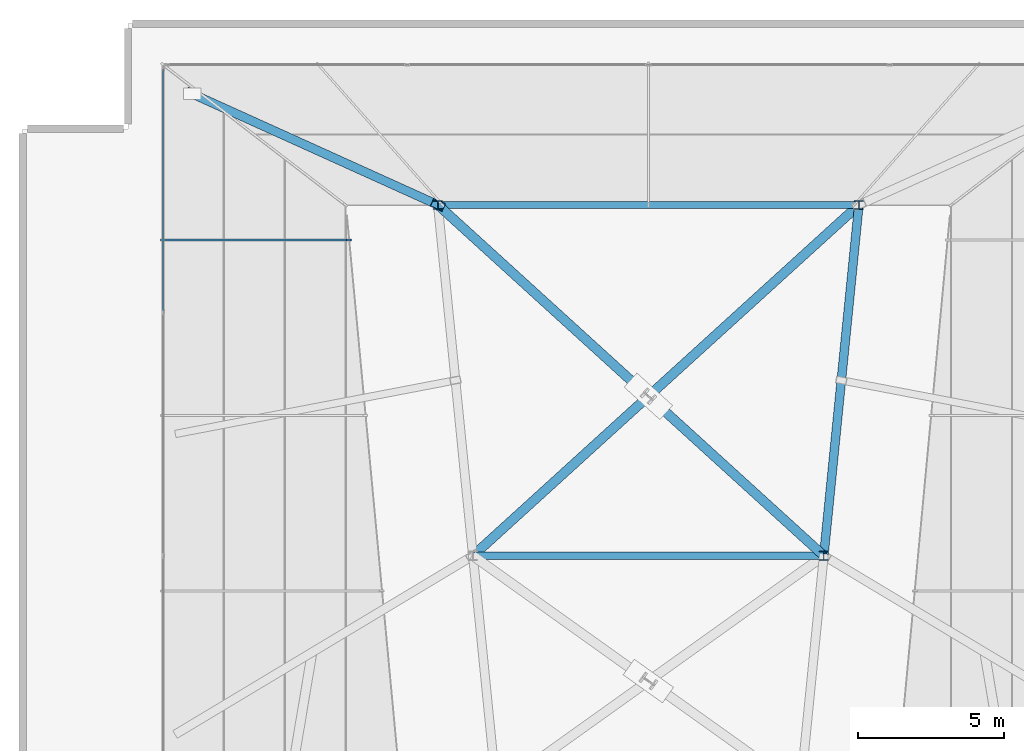
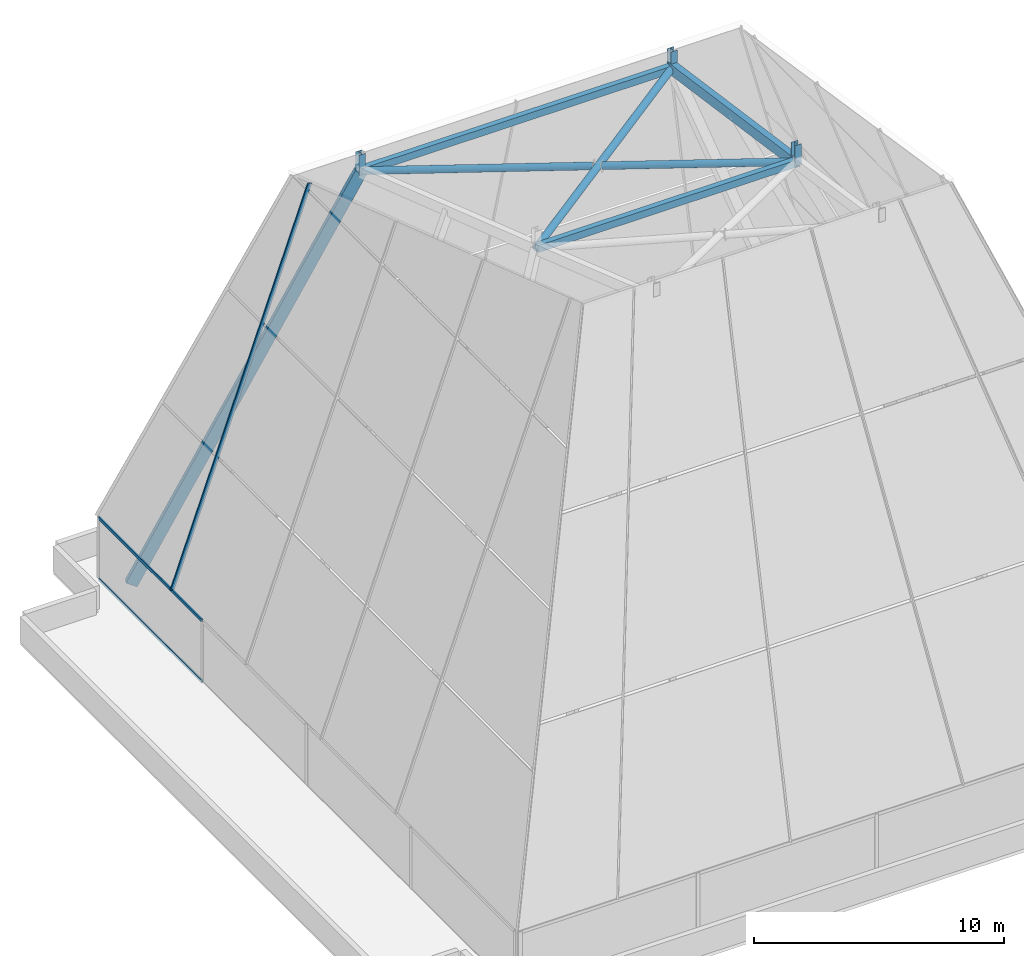
# One storey, part 12 of 32: 13 members, 1 element without a shape of its own.
"""IFC4 building model written with IfcOpenShell, lengths in metres."""

from ifc_helpers import new_model, si_unit, direction, frame, origin, origin_2d, place, context, subcontext, project, spatial, hollow_rectangle, hollow_circle, i_section, extrude, source, transform, mapped, material, layer, layer_set, material_profile, profile_set, type_object, element, aggregate, save


model = new_model("IFC4")

# Units and contexts
model_context = context("Model", 3, precision=1e-05, world=origin(), true_north=direction((0.0, 1.0)))
body_context = subcontext(model_context, "Body", "Model", "MODEL_VIEW")
ifc_project = project(units=[si_unit("LENGTHUNIT", "METRE"), si_unit("AREAUNIT", "SQUARE_METRE"), si_unit("VOLUMEUNIT", "CUBIC_METRE"), si_unit("PLANEANGLEUNIT", "RADIAN"), si_unit("MASSUNIT", "GRAM", prefix="KILO")], contexts=[model_context])

# Site, building, storey
site_placement = place(None, origin())
site = spatial("IfcSite", under=ifc_project, at=site_placement, CompositionType="ELEMENT")
building_placement = place(site_placement, origin())
building = spatial("IfcBuilding", under=site, at=building_placement, Name="Sumidabori Civic Tower", CompositionType="ELEMENT")
storey_placement = place(building_placement, frame((0.0, 0.0, 298.199951171875)))
storey = spatial("IfcBuildingStorey", under=building, at=storey_placement, Name="RF Roof Crown", CompositionType="ELEMENT", Elevation=298.199951171875)

# Members
ifc_material_1 = material(Name="Steel SN490", Category="steel")
ifc_material_profile_1 = material_profile(ifc_material_1, hollow_rectangle(XDim=0.300048828125, YDim=0.5, WallThickness=0.02001953125, at=origin_2d()), Name="RHS 500x300x20")
ifc_profile_set_1 = profile_set([ifc_material_profile_1], Name="Steel SN490")
member_type_1 = type_object("IfcMemberType", Name="MB-CRN-RAFTER", PredefinedType="RAFTER", material=ifc_profile_set_1)
shared_shape_1 = source(origin(), body_context, "Body", "SweptSolid", [
    extrude(hollow_rectangle(XDim=0.300048828125, YDim=0.5, WallThickness=0.02001953125, at=origin_2d()), origin(), (0.0, 0.0, 1.0), 21.56982421875),
])
member_1_placement = place(storey_placement, frame((-15.60009765625, 21.800048828125, 0.0), z_axis=(0.389441605337, -0.176175155843, 0.904045104238), x_axis=(0.412166299727, 0.911108633133, 0.0)))
element("IfcMember", 1, at=member_1_placement, inside=storey, type_object=member_type_1, Name="Crown Structural Rafter RF-NW", PredefinedType="RAFTER", context=body_context, shape_type="MappedRepresentation", body=[
    mapped(shared_shape_1, transform((0.0, 0.0, 0.0), x_axis=(1.0, 0.0, 0.0), y_axis=(0.0, 1.0, 0.0), z_axis=(0.0, 0.0, 1.0), scale=1.0)),
])
shared_shape_2 = source(origin(), body_context, "Body", "SweptSolid", [
    extrude(hollow_rectangle(XDim=0.300048828125, YDim=0.5, WallThickness=0.02001953125, at=origin_2d()), origin(), (0.0, 0.0, 1.0), 12.451904296875),
])
member_2_placement = place(storey_placement, frame((6.0, 6.0, 22.60009765625), z_axis=(0.096366703969, 0.963706252998, -0.248965291353), x_axis=(-0.995037591075, 0.099499710289, 0.0)))
element("IfcMember", 2, at=member_2_placement, inside=storey, type_object=member_type_1, Name="Crown Structural Rafter RF-RIDGE-E2", PredefinedType="RAFTER", context=body_context, shape_type="MappedRepresentation", body=[
    mapped(shared_shape_2, transform((0.0, 0.0, 0.0), x_axis=(1.0, 0.0, 0.0), y_axis=(0.0, 1.0, 0.0), z_axis=(0.0, 0.0, 1.0), scale=1.0)),
])
ifc_material_profile_2 = material_profile(ifc_material_1, hollow_rectangle(XDim=0.25, YDim=0.35009765625, WallThickness=0.01611328125, at=origin_2d()), Name="RHS 350x250x16")
ifc_profile_set_2 = profile_set([ifc_material_profile_2], Name="Steel SN490")
member_type_2 = type_object("IfcMemberType", Name="MB-CRN-PURLIN", PredefinedType="PURLIN", material=ifc_profile_set_2)
shared_shape_3 = source(origin(), body_context, "Body", "SweptSolid", [
    extrude(hollow_rectangle(XDim=0.25, YDim=0.35009765625, WallThickness=0.01611328125, at=origin_2d()), origin(), (0.0, 0.0, 1.0), 12.0),
])
member_3_placement = place(storey_placement, frame((-6.0, 6.0, 22.60009765625), z_axis=(1.0, 0.0, 0.0), x_axis=(0.0, 1.0, 0.0)))
element("IfcMember", 3, at=member_3_placement, inside=storey, type_object=member_type_2, Name="Crown Structural Rafter RF-TIE-M", PredefinedType="PURLIN", context=body_context, shape_type="MappedRepresentation", body=[
    mapped(shared_shape_3, transform((0.0, 0.0, 0.0), x_axis=(1.0, 0.0, 0.0), y_axis=(0.0, 1.0, 0.0), z_axis=(0.0, 0.0, 1.0), scale=1.0)),
])
shared_shape_4 = source(origin(), body_context, "Body", "SweptSolid", [
    extrude(hollow_rectangle(XDim=0.25, YDim=0.35009765625, WallThickness=0.01611328125, at=origin_2d()), origin(), (0.0, 0.0, 1.0), 14.39990234375),
])
member_4_placement = place(storey_placement, frame((-7.199951171875, 18.0, 19.5), z_axis=(1.0, 0.0, 0.0), x_axis=(0.0, 1.0, 0.0)))
element("IfcMember", 4, at=member_4_placement, inside=storey, type_object=member_type_2, Name="Crown Structural Rafter RF-TIE-N", PredefinedType="PURLIN", context=body_context, shape_type="MappedRepresentation", body=[
    mapped(shared_shape_4, transform((0.0, 0.0, 0.0), x_axis=(1.0, 0.0, 0.0), y_axis=(0.0, 1.0, 0.0), z_axis=(0.0, 0.0, 1.0), scale=1.0)),
])
ifc_material_profile_3 = material_profile(ifc_material_1, hollow_circle(Radius=0.161865234375, WallThickness=0.01611328125, at=origin_2d()), Name="CHS 323.9x16")
ifc_profile_set_3 = profile_set([ifc_material_profile_3], Name="Steel SN490")
member_type_3 = type_object("IfcMemberType", Name="MB-CRN-BRACE", PredefinedType="BRACE", material=ifc_profile_set_3)
shared_shape_5 = source(origin(), body_context, "Body", "SweptSolid", [
    extrude(hollow_circle(Radius=0.161865234375, WallThickness=0.01611328125, at=origin_2d()), origin(), (0.0, 0.0, 1.0), 18.106689453125),
])
member_5_placement = place(storey_placement, frame((-6.0, 6.0, 22.60009765625), z_axis=(0.729012849924, 0.662741406024, -0.171213589959), x_axis=(-0.672674156362, 0.73993883488, 0.0)))
element("IfcMember", 5, at=member_5_placement, inside=storey, type_object=member_type_3, Name="Crown Structural Rafter RF-BRC-3", PredefinedType="BRACE", context=body_context, shape_type="MappedRepresentation", body=[
    mapped(shared_shape_5, transform((0.0, 0.0, 0.0), x_axis=(1.0, 0.0, 0.0), y_axis=(0.0, 1.0, 0.0), z_axis=(0.0, 0.0, 1.0), scale=1.0)),
])
shared_shape_6 = source(origin(), body_context, "Body", "SweptSolid", [
    extrude(hollow_circle(Radius=0.161865234375, WallThickness=0.01611328125, at=origin_2d()), origin(), (0.0, 0.0, 1.0), 8.045654296875),
])
member_6_placement = place(storey_placement, frame((6.0, 6.0, 22.60009765625), z_axis=(-0.729014343254, 0.662743070593, -0.171200787706), x_axis=(-0.672674326962, -0.739938679788, 0.0)))
element("IfcMember", 6, at=member_6_placement, inside=storey, type_object=member_type_3, Name="Crown Structural Rafter RF-BRC-4 Lower Segment", PredefinedType="BRACE", context=body_context, shape_type="MappedRepresentation", body=[
    mapped(shared_shape_6, transform((0.0, 0.0, 0.0), x_axis=(1.0, 0.0, 0.0), y_axis=(0.0, 1.0, 0.0), z_axis=(0.0, 0.0, 1.0), scale=1.0)),
])
shared_shape_7 = source(origin(), body_context, "Body", "SweptSolid", [
    extrude(hollow_circle(Radius=0.161865234375, WallThickness=0.01611328125, at=origin_2d()), origin(), (0.0, 0.0, 1.0), 9.691650390625),
])
member_7_placement = place(storey_placement, frame((-0.134521484375, 11.576904296875, 21.159423828125), z_axis=(-0.729014368569, 0.662738045013, -0.171220133489), x_axis=(-0.672671521374, -0.739941230323, 0.0)))
element("IfcMember", 7, at=member_7_placement, inside=storey, type_object=member_type_3, Name="Crown Structural Rafter RF-BRC-4 Upper Segment", PredefinedType="BRACE", context=body_context, shape_type="MappedRepresentation", body=[
    mapped(shared_shape_7, transform((0.0, 0.0, 0.0), x_axis=(1.0, 0.0, 0.0), y_axis=(0.0, 1.0, 0.0), z_axis=(0.0, 0.0, 1.0), scale=1.0)),
])
ifc_material_profile_4 = material_profile(ifc_material_1, i_section(OverallWidth=0.300048828125, OverallDepth=0.300048828125, WebThickness=0.010986328125, FlangeThickness=0.01904296875, at=origin_2d()), Name="HE 300 B")
ifc_profile_set_4 = profile_set([ifc_material_profile_4], Name="Steel SN490")
member_type_4 = type_object("IfcMemberType", Name="MB-CRN-POST2", PredefinedType="POST", material=ifc_profile_set_4)
shared_shape_8 = source(origin(), body_context, "Body", "SweptSolid", [
    extrude(i_section(OverallWidth=0.300048828125, OverallDepth=0.300048828125, WebThickness=0.010986328125, FlangeThickness=0.01904296875, at=origin_2d()), origin(), (0.0, 0.0, 1.0), 1.010009765625),
])
member_8_placement = place(storey_placement, frame((6.0, 6.0, 22.5), z_axis=(0.0, 0.0, 1.0), x_axis=(1.0, 0.0, 0.0)))
element("IfcMember", 8, at=member_8_placement, inside=storey, type_object=member_type_4, Name="Crown Ridge Cap King-Post CP-ME", PredefinedType="POST", context=body_context, shape_type="MappedRepresentation", body=[
    mapped(shared_shape_8, transform((0.0, 0.0, 0.0), x_axis=(1.0, 0.0, 0.0), y_axis=(0.0, 1.0, 0.0), z_axis=(0.0, 0.0, 1.0), scale=1.0)),
])
shared_shape_9 = source(origin(), body_context, "Body", "SweptSolid", [
    extrude(i_section(OverallWidth=0.300048828125, OverallDepth=0.300048828125, WebThickness=0.010986328125, FlangeThickness=0.01904296875, at=origin_2d()), origin(), (0.0, 0.0, 1.0), 0.989990234375),
])
for number, where, z_axis, x_axis, name in (
    (9, (-7.199951171875, 18.0, 19.400146484375), (0.0, 0.0, 1.0), (1.0, 0.0, 0.0), "Crown Ridge Cap King-Post CP-NW"),
    (10, (7.199951171875, 18.0, 19.400146484375), (0.0, 0.0, 1.0), (1.0, 0.0, 0.0), "Crown Ridge Cap King-Post CP-NE"),
):
    element("IfcMember", number, at=place(storey_placement, frame(where, z_axis=z_axis, x_axis=x_axis)), inside=storey, type_object=member_type_4, Name=name, PredefinedType="POST", context=body_context, shape_type="MappedRepresentation", body=[
        mapped(shared_shape_9, transform((0.0, 0.0, 0.0), x_axis=(1.0, 0.0, 0.0), y_axis=(0.0, 1.0, 0.0), z_axis=(0.0, 0.0, 1.0), scale=1.0)),
    ])

# Curtain wall, members
ifc_material_2 = material(Name="Anodised Bronze Aluminium AW-6063-T6", Category="aluminium")
ifc_layer = layer(ifc_material_2, 0.179931640625, Name="Anodised Bronze Aluminium AW-6063-T6")
ifc_layer_set = layer_set([ifc_layer], Name="Anodised Bronze Aluminium AW-6063-T6")
curtain_wall_type = type_object("IfcCurtainWallType", Name="CW-SYS-6", PredefinedType="NOTDEFINED", material=ifc_layer_set)
curtain_wall_placement = place(storey_placement, origin())
curtain_wall = element("IfcCurtainWall", 11, at=curtain_wall_placement, inside=storey, type_object=curtain_wall_type, Name="Glass-Point Crown West Cheek Curtain Wall", PredefinedType="NOTDEFINED")
ifc_material_profile_5 = material_profile(ifc_material_2, hollow_rectangle(XDim=0.06494140625, YDim=0.14990234375, WallThickness=0.0048828125, at=origin_2d()), Name="ALU TRANSOM 150x65")
ifc_profile_set_5 = profile_set([ifc_material_profile_5], Name="Anodised Bronze Aluminium AW-6063-T6")
member_type_5 = type_object("IfcMemberType", Name="CW-TRN-150", PredefinedType="USERDEFINED", material=ifc_profile_set_5)
shared_shape_10 = source(origin(), body_context, "Body", "SweptSolid", [
    extrude(hollow_rectangle(XDim=0.06494140625, YDim=0.14990234375, WallThickness=0.0048828125, at=origin_2d()), origin(), (0.0, 0.0, 1.0), 8.244873046875),
])
member_9_placement = place(storey_placement, frame((-16.60009765625, 22.6298828125, 0.032470703125), z_axis=(0.0, -1.0, 0.0), x_axis=(1.0, 0.0, 0.0)))
member_9 = element("IfcMember", 12, at=member_9_placement, type_object=member_type_5, Name="CW-6 transom 1.1", ObjectType="TRANSOM", PredefinedType="USERDEFINED", context=body_context, shape_type="MappedRepresentation", body=[
    mapped(shared_shape_10, transform((0.0, 0.0, 0.0), x_axis=(1.0, 0.0, 0.0), y_axis=(0.0, 1.0, 0.0), z_axis=(0.0, 0.0, 1.0), scale=1.0)),
])
member_10_placement = place(storey_placement, frame((-16.60009765625, 22.6298828125, 3.017578125), z_axis=(0.0, -1.0, 0.0), x_axis=(1.0, 0.0, 0.0)))
member_10 = element("IfcMember", 13, at=member_10_placement, type_object=member_type_5, Name="CW-6 transom 1.2", ObjectType="TRANSOM", PredefinedType="USERDEFINED", context=body_context, shape_type="MappedRepresentation", body=[
    mapped(shared_shape_10, transform((0.0, 0.0, 0.0), x_axis=(1.0, 0.0, 0.0), y_axis=(0.0, 1.0, 0.0), z_axis=(0.0, 0.0, 1.0), scale=1.0)),
])
ifc_material_profile_6 = material_profile(ifc_material_2, hollow_rectangle(XDim=0.070068359375, YDim=0.179931640625, WallThickness=0.006103515625, at=origin_2d()), Name="ALU MULLION 180x70")
ifc_profile_set_6 = profile_set([ifc_material_profile_6], Name="Anodised Bronze Aluminium AW-6063-T6")
member_type_6 = type_object("IfcMemberType", Name="CW-MUL-180", PredefinedType="MULLION", material=ifc_profile_set_6)
shared_shape_11 = source(origin(), body_context, "Body", "SweptSolid", [
    extrude(hollow_rectangle(XDim=0.070068359375, YDim=0.179931640625, WallThickness=0.006103515625, at=origin_2d()), origin(), (0.0, 0.0, 1.0), 18.76123046875),
])
member_11_placement = place(storey_placement, frame((-16.60009765625, 16.800048828125, 3.050048828125), z_axis=(0.338718546663, 0.0, 0.940887743648), x_axis=(0.0, 1.0, 0.0)))
member_11 = element("IfcMember", 14, at=member_11_placement, type_object=member_type_6, Name="Crown West Cheek Sloped Mullion M4", PredefinedType="MULLION", context=body_context, shape_type="MappedRepresentation", body=[
    mapped(shared_shape_11, transform((0.0, 0.0, 0.0), x_axis=(1.0, 0.0, 0.0), y_axis=(0.0, 1.0, 0.0), z_axis=(0.0, 0.0, 1.0), scale=1.0)),
])
aggregate(curtain_wall, [member_9, member_10, member_11])

save(model, "model.ifc")
